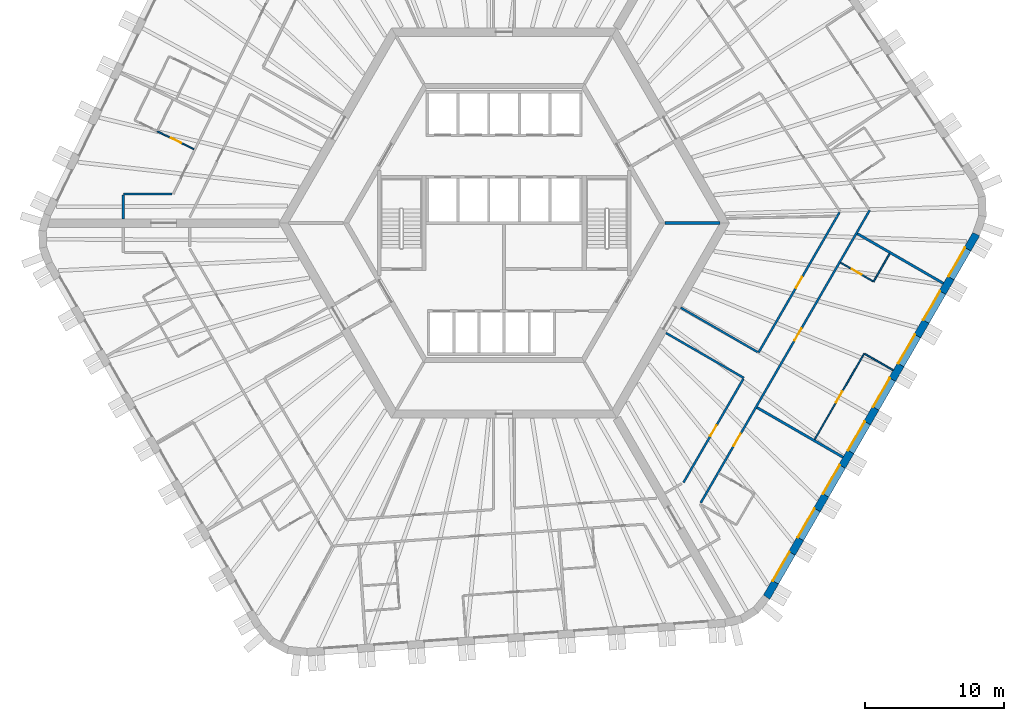
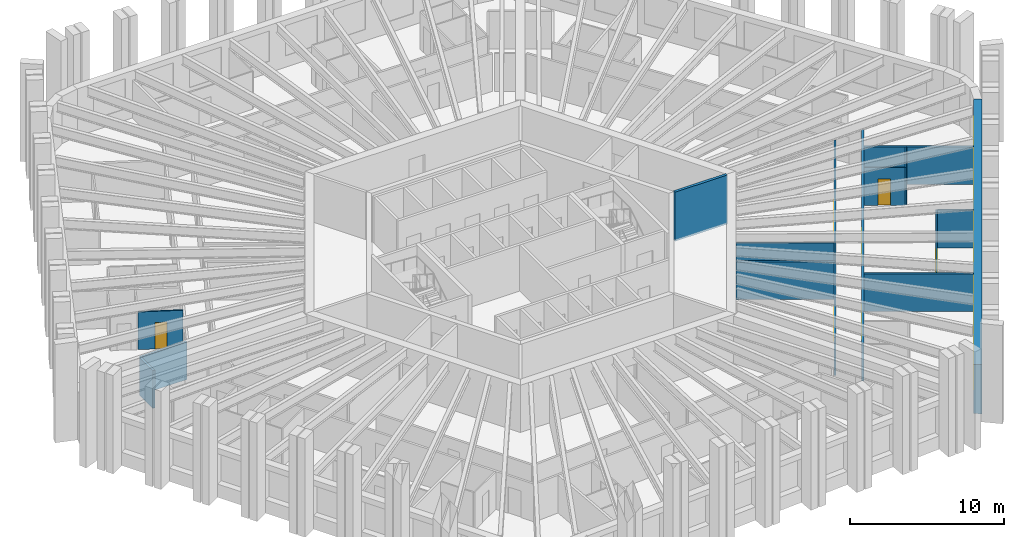
# One storey, part 6 of 13: 16 walls, 8 windows, 7 doors, 15 openings.
"""IFC4 building model written with IfcOpenShell, lengths in metres."""

import ifcopenshell
import ifcopenshell.guid

model = None  # the IFC model being written
_history = None  # IfcOwnerHistory: only IFC2X3 demands one
_inside = {}  # id of a spatial element -> (the spatial element, [elements in it])
_under = {}  # id of a project, library or spatial element -> (it, [spatial elements below it])
_declared = {}  # id of a project -> (the project, [libraries it declares])
_typed = {}  # id of a type object -> (the type object, [elements of that type])
_made_of = {}  # id of a material, layer set ... -> (it, [elements and type objects made of it])


def new_model(schema):
    """Start an empty IFC model of exactly this schema.

    Asked for "IFC4X3", IfcOpenShell would pick the latest addendum, in which some entities
    have other attributes; the version numbers below select the first issue.
    IFC2X3 requires an IfcOwnerHistory on every rooted entity: one is made here for all.
    """
    global model, _history
    if schema == "IFC4X3":
        model = ifcopenshell.file(schema_version=(4, 3, 0, 0))
    else:
        model = ifcopenshell.file(schema=schema)
    _inside.clear()
    _under.clear()
    _declared.clear()
    _typed.clear()
    _made_of.clear()
    _history = None
    if model.schema == "IFC2X3":
        org = make("IfcOrganization", Name="unknown")
        user = make(
            "IfcPersonAndOrganization",
            ThePerson=make("IfcPerson", FamilyName="unknown"),
            TheOrganization=org,
        )
        app = make(
            "IfcApplication",
            ApplicationDeveloper=org,
            Version="unknown",
            ApplicationFullName="unknown",
            ApplicationIdentifier="unknown",
        )
        _history = make(
            "IfcOwnerHistory",
            OwningUser=user,
            OwningApplication=app,
            ChangeAction="ADDED",
            CreationDate=0,
        )
    return model


def make(cls, **values):
    """One entity of the class cls with the attributes given. An attribute that is None is left unset."""
    return model.create_entity(
        cls, **{name: value for name, value in values.items() if value is not None}
    )


def rooted(cls, **values):
    """An entity with a GlobalId (a new one), such as an element, a storey or a relation."""
    return make(cls, GlobalId=ifcopenshell.guid.new(), OwnerHistory=_history, **values)


def si_unit(unit_type, name, prefix=None):
    """IfcSIUnit, for example si_unit("LENGTHUNIT", "METRE", prefix="MILLI")."""
    return make("IfcSIUnit", UnitType=unit_type, Prefix=prefix, Name=name)


def assignment(units):
    """IfcUnitAssignment: the units of a project."""
    return None if units is None else make("IfcUnitAssignment", Units=units)


def point(xyz):
    """IfcCartesianPoint."""
    return None if xyz is None else make("IfcCartesianPoint", Coordinates=xyz)


def direction(xyz):
    """IfcDirection."""
    return None if xyz is None else make("IfcDirection", DirectionRatios=xyz)


def frame(location, z_axis=None, x_axis=None):
    """IfcAxis2Placement3D, a coordinate frame: its origin and axes. An axis left out is left unset."""
    return make(
        "IfcAxis2Placement3D",
        Location=point(location),
        Axis=direction(z_axis),
        RefDirection=direction(x_axis),
    )


def frame_2d(location, x_axis=None):
    """IfcAxis2Placement2D, a coordinate frame in the plane: its origin and x axis."""
    return make(
        "IfcAxis2Placement2D", Location=point(location), RefDirection=direction(x_axis)
    )


def origin():
    """The frame at (0, 0, 0) with its axes left unset."""
    return frame((0.0, 0.0, 0.0))


def place(relative_to, where):
    """IfcLocalPlacement: puts the frame where relative to a parent placement (None: the world)."""
    return make(
        "IfcLocalPlacement", PlacementRelTo=relative_to, RelativePlacement=where
    )


def context(
    kind, dimensions, precision=None, world=None, true_north=None, identifier=None
):
    """IfcGeometricRepresentationContext, for example the 3D "Model" context."""
    return make(
        "IfcGeometricRepresentationContext",
        ContextIdentifier=identifier,
        ContextType=kind,
        CoordinateSpaceDimension=dimensions,
        Precision=precision,
        WorldCoordinateSystem=world,
        TrueNorth=true_north,
    )


def subcontext(parent, identifier, kind, view, scale=None):
    """IfcGeometricRepresentationSubContext, for example "Body" below "Model"."""
    return make(
        "IfcGeometricRepresentationSubContext",
        ContextIdentifier=identifier,
        ContextType=kind,
        ParentContext=parent,
        TargetScale=scale,
        TargetView=view,
    )


def project(units=None, contexts=None):
    """IfcProject with its units and contexts."""
    return rooted(
        "IfcProject",
        Name="project",
        RepresentationContexts=contexts,
        UnitsInContext=assignment(units),
    )


def spatial(cls, under=None, at=None, **own):
    """A site, building, storey or space (cls), placed at a placement, below another one or the project."""
    s = rooted(cls, ObjectPlacement=at, **own)
    if under is not None:
        _under.setdefault(under.id(), (under, []))[1].append(s)
    return s


def polyline(points):
    """IfcPolyline through the points."""
    return make("IfcPolyline", Points=[point(p) for p in points])


def profile(cls, at=None, kind="AREA", **sizes):
    """A parametric profile (cls). Its sizes go by their IFC names, for example OverallWidth=200.0."""
    return make(cls, ProfileType=kind, Position=at, **sizes)


def rectangle(**sizes):
    """IfcRectangleProfileDef."""
    return profile("IfcRectangleProfileDef", **sizes)


def outline(outer, holes=None, kind="AREA"):
    """IfcArbitraryClosedProfileDef: a profile drawn as a closed curve; with holes, ...WithVoids."""
    if holes is None:
        return make("IfcArbitraryClosedProfileDef", ProfileType=kind, OuterCurve=outer)
    return make(
        "IfcArbitraryProfileDefWithVoids",
        ProfileType=kind,
        OuterCurve=outer,
        InnerCurves=holes,
    )


def extrude(swept, where, along, depth):
    """IfcExtrudedAreaSolid: the profile swept, set in the frame where, extruded along a direction by depth."""
    return make(
        "IfcExtrudedAreaSolid",
        SweptArea=swept,
        Position=where,
        ExtrudedDirection=direction(along),
        Depth=depth,
    )


def shape(context_of_items, identifier, shape_type, items):
    """IfcShapeRepresentation: the items that make up one representation, for example the "Body"."""
    return make(
        "IfcShapeRepresentation",
        ContextOfItems=context_of_items,
        RepresentationIdentifier=identifier,
        RepresentationType=shape_type,
        Items=items,
    )


def material(Name=None, Category=None):
    """IfcMaterial."""
    return make("IfcMaterial", Name=Name, Category=Category)


def layer(
    of_material, thickness, ventilated=None, Name=None, Category=None, Priority=None
):
    """IfcMaterialLayer: one layer of a wall or slab, of a material (None: an air gap)."""
    return make(
        "IfcMaterialLayer",
        Material=of_material,
        LayerThickness=thickness,
        IsVentilated=ventilated,
        Name=Name,
        Category=Category,
        Priority=Priority,
    )


def layer_set(layers, Name=None):
    """IfcMaterialLayerSet."""
    return make("IfcMaterialLayerSet", MaterialLayers=layers, LayerSetName=Name)


def made_of(thing, what):
    """Note that an element or type object is made of a material, layer set ...; save() writes the relation."""
    if what is not None:
        _made_of.setdefault(what.id(), (what, []))[1].append(thing)
    return thing


def type_object(cls, material=None, **own):
    """A type object (cls), such as IfcWallType, which elements share."""
    return made_of(rooted(cls, **own), material)


def element(
    cls,
    number,
    at=None,
    inside=None,
    cuts=None,
    type_object=None,
    material=None,
    context=None,
    identifier="Body",
    shape_type=None,
    held_by="IfcProductDefinitionShape",
    body=None,
    shapes=None,
    **own,
):
    """One element of the class cls, such as IfcWall. Its Tag is "e" and its number.

    at: its placement. inside: the storey or other place that contains it. cuts: it is an
    opening in that element (IfcRelVoidsElement). A single representation is given by context,
    identifier, shape_type and body (its items); several are given by shapes. held_by: the class
    of the entity that holds the representations. save() writes the other relations.
    """
    e = rooted(cls, Tag="e%d" % number, ObjectPlacement=at, **own)
    if body is not None:
        shapes = [shape(context, identifier, shape_type, body)]
    if shapes is not None:
        e.Representation = make(held_by, Representations=shapes)
    if inside is not None:
        _inside.setdefault(inside.id(), (inside, []))[1].append(e)
    if cuts is not None:
        rooted(
            "IfcRelVoidsElement", RelatingBuildingElement=cuts, RelatedOpeningElement=e
        )
    if type_object is not None:
        _typed.setdefault(type_object.id(), (type_object, []))[1].append(e)
    return made_of(e, material)


def fill(opening, filler):
    """IfcRelFillsElement: the door or window that sits in an opening."""
    return rooted(
        "IfcRelFillsElement",
        RelatingOpeningElement=opening,
        RelatedBuildingElement=filler,
    )


def aggregate(whole, parts):
    """IfcRelAggregates: a whole, such as a stair, and the parts it consists of."""
    return rooted("IfcRelAggregates", RelatingObject=whole, RelatedObjects=parts)


def save(model, path):
    """Write the relations noted so far, then the file.

    IfcRelAggregates (storeys below a building ...), IfcRelContainedInSpatialStructure (elements
    in a storey), IfcRelDefinesByType, IfcRelAssociatesMaterial and IfcRelDeclares: one each for
    every whole, place, type object, material and project.
    """
    for whole, parts in _under.values():
        aggregate(whole, parts)
    for where, things in _inside.values():
        rooted(
            "IfcRelContainedInSpatialStructure",
            RelatedElements=things,
            RelatingStructure=where,
        )
    for kind, things in _typed.values():
        rooted("IfcRelDefinesByType", RelatedObjects=things, RelatingType=kind)
    for what, things in _made_of.values():
        rooted("IfcRelAssociatesMaterial", RelatedObjects=things, RelatingMaterial=what)
    for by, libraries in _declared.values():
        rooted("IfcRelDeclares", RelatingContext=by, RelatedDefinitions=libraries)
    model.write(path)


model = new_model("IFC4")

# Units and contexts
model_context = context("Model", 3, precision=1e-05, world=origin(), true_north=direction((0.0, 1.0)))
body_context = subcontext(model_context, "Body", "Model", "MODEL_VIEW")
ifc_project = project(units=[si_unit("LENGTHUNIT", "METRE"), si_unit("AREAUNIT", "SQUARE_METRE"), si_unit("VOLUMEUNIT", "CUBIC_METRE"), si_unit("PLANEANGLEUNIT", "RADIAN"), si_unit("MASSUNIT", "GRAM", prefix="KILO")], contexts=[model_context])

# Site, building, storey
site_placement = place(None, origin())
site = spatial("IfcSite", under=ifc_project, at=site_placement, CompositionType="ELEMENT")
building_placement = place(site_placement, origin())
building = spatial("IfcBuilding", under=site, at=building_placement, Name="Tarnside Tower", CompositionType="ELEMENT")
storey_placement = place(building_placement, frame((0.0, 0.0, 92.10009765625)))
storey = spatial("IfcBuildingStorey", under=building, at=storey_placement, Name="L20", CompositionType="ELEMENT", Elevation=92.10009765625)

# Wall, opening, door
ifc_material_1 = material(Name="Gypsum board partition on steel studs", Category="steel")
ifc_layer_1 = layer(ifc_material_1, 0.10009765625)
ifc_layer_set_1 = layer_set([ifc_layer_1], Name="Bathroom wall 100")
wall_type_1 = type_object("IfcWallType", Name="Bathroom wall 100", PredefinedType="PARTITIONING", material=ifc_layer_set_1)
wall_1_placement = place(storey_placement, frame((-22.25244140625, 5.302734375, 0.0), z_axis=(0.0, 0.0, 1.0), x_axis=(-0.89880694479, 0.438344699976, 0.0)))
wall_1 = element("IfcWall", 1, at=wall_1_placement, inside=storey, type_object=wall_type_1, Name="Bathroom wall 06106", PredefinedType="PARTITIONING", context=body_context, shape_type="SweptSolid", body=[
    extrude(rectangle(XDim=2.925048828125, YDim=0.10009765625, at=frame_2d((1.46240234375, 0.0))), origin(), (0.0, 0.0, 1.0), 2.98779296875),
])
opening_1_placement = place(wall_1_placement, frame((1.02490234375, 0.0, 0.0)))
opening_1 = element("IfcOpeningElement", 2, at=opening_1_placement, cuts=wall_1, Name="Opening D-B1", PredefinedType="OPENING", context=body_context, shape_type="SweptSolid", body=[
    extrude(rectangle(XDim=0.800048828125, YDim=2.10009765625, at=frame_2d((0.39990234375, 1.050048828125))), frame((0.0, 0.06005859375, 0.0), z_axis=(0.0, -1.0, 0.0), x_axis=(1.0, 0.0, 0.0)), (0.0, 0.0, 1.0), 0.1201171875),
])
ifc_material_2 = material(Name="Timber door leaf", Category="wood")
door_type_1 = type_object("IfcDoorType", Name="Bathroom door 800", OperationType="NOTDEFINED", PredefinedType="DOOR", material=ifc_material_2)
door_1_placement = place(opening_1_placement, origin())
door_1 = element("IfcDoor", 3, at=door_1_placement, inside=storey, type_object=door_type_1, Name="Bathroom door 06014", OperationType="SINGLE_SWING_RIGHT", OverallHeight=2.10009765625, OverallWidth=0.800048828125, PredefinedType="DOOR", context=body_context, shape_type="SweptSolid", body=[
    extrude(rectangle(XDim=0.800048828125, YDim=2.10009765625, at=frame_2d((0.39990234375, 1.050048828125))), frame((0.0, 0.02490234375, 0.0), z_axis=(0.0, -1.0, 0.0), x_axis=(1.0, 0.0, 0.0)), (0.0, 0.0, 1.0), 0.050048828125),
])
fill(opening_1, door_1)

# Wall
wall_2_placement = place(storey_placement, frame((27.654541015625, -2.201171875, 0.0), z_axis=(0.0, 0.0, 1.0), x_axis=(-0.500015210774, -0.866016621662, 0.0)))
element("IfcWall", 4, at=wall_2_placement, inside=storey, type_object=wall_type_1, Name="Bathroom wall 06143", PredefinedType="PARTITIONING", context=body_context, shape_type="SweptSolid", body=[
    extrude(rectangle(XDim=2.31005859375, YDim=0.10009765625, at=frame_2d((1.155029296875, 0.0))), origin(), (0.0, 0.0, 1.0), 2.98779296875),
])

# Wall, opening, door
wall_3_placement = place(storey_placement, frame((26.4560546875, -4.176513671875, 0.0), z_axis=(0.0, 0.0, 1.0), x_axis=(-0.866021425885, 0.500006889861, 0.0)))
wall_3 = element("IfcWall", 5, at=wall_3_placement, inside=storey, type_object=wall_type_1, Name="Bathroom wall 06144", PredefinedType="PARTITIONING", context=body_context, shape_type="SweptSolid", body=[
    extrude(rectangle(XDim=2.6748046875, YDim=0.10009765625, at=frame_2d((1.33740234375, 0.0))), origin(), (0.0, 0.0, 1.0), 2.98779296875),
])
opening_2_placement = place(wall_3_placement, frame((0.949951171875, 0.0, 0.0)))
opening_2 = element("IfcOpeningElement", 6, at=opening_2_placement, cuts=wall_3, Name="Opening D-B1", PredefinedType="OPENING", context=body_context, shape_type="SweptSolid", body=[
    extrude(rectangle(XDim=0.800048828125, YDim=2.10009765625, at=frame_2d((0.39990234375, 1.050048828125))), frame((0.0, 0.06005859375, 0.0), z_axis=(0.0, -1.0, 0.0), x_axis=(1.0, 0.0, 0.0)), (0.0, 0.0, 1.0), 0.1201171875),
])
door_2_placement = place(opening_2_placement, origin())
door_2 = element("IfcDoor", 7, at=door_2_placement, inside=storey, type_object=door_type_1, Name="Bathroom door 06033", OperationType="SINGLE_SWING_RIGHT", OverallHeight=2.10009765625, OverallWidth=0.800048828125, PredefinedType="DOOR", context=body_context, shape_type="SweptSolid", body=[
    extrude(rectangle(XDim=0.800048828125, YDim=2.10009765625, at=frame_2d((0.39990234375, 1.050048828125))), frame((0.0, 0.02490234375, 0.0), z_axis=(0.0, -1.0, 0.0), x_axis=(1.0, 0.0, 0.0)), (0.0, 0.0, 1.0), 0.050048828125),
])
fill(opening_2, door_2)

# Walls
ifc_layer_2 = layer(ifc_material_1, 0.14990234375)
ifc_layer_set_2 = layer_set([ifc_layer_2], Name="Corridor wall 150 EI 60")
wall_type_2 = type_object("IfcWallType", Name="Corridor wall 150 EI 60", PredefinedType="PARTITIONING", material=ifc_layer_set_2)
wall_4_placement = place(storey_placement, frame((-23.814697265625, 2.10009765625, 0.0), z_axis=(0.0, 0.0, 1.0), x_axis=(-1.0, 0.0, 0.0)))
element("IfcWall", 8, at=wall_4_placement, inside=storey, type_object=wall_type_2, Name="Corridor wall 06012", PredefinedType="PARTITIONING", context=body_context, shape_type="SweptSolid", body=[
    extrude(rectangle(XDim=3.505615234375, YDim=0.14990234375, at=frame_2d((1.7529296875, 0.0))), origin(), (0.0, 0.0, 1.0), 2.98779296875),
])
wall_5_placement = place(storey_placement, frame((-27.3203125, 2.02490234375, 0.0), z_axis=(0.0, 0.0, 1.0), x_axis=(0.0, -1.0, 0.0)))
element("IfcWall", 9, at=wall_5_placement, inside=storey, type_object=wall_type_2, Name="Corridor wall 06013", PredefinedType="PARTITIONING", context=body_context, shape_type="SweptSolid", body=[
    extrude(rectangle(XDim=1.724853515625, YDim=0.14990234375, at=frame_2d((0.8623046875, 0.0))), origin(), (0.0, 0.0, 1.0), 2.98779296875),
])

# Wall, openings, doors
wall_6_placement = place(storey_placement, frame((14.101806640625, -20.074951171875, 0.0), z_axis=(0.0, 0.0, 1.0), x_axis=(0.499996816197, 0.866027241946, 0.0)))
wall_6 = element("IfcWall", 10, at=wall_6_placement, inside=storey, type_object=wall_type_2, Name="Corridor wall 06052", PredefinedType="PARTITIONING", context=body_context, shape_type="SweptSolid", body=[
    extrude(rectangle(XDim=24.238037109375, YDim=0.14990234375, at=frame_2d((12.119140625, 0.0))), origin(), (0.0, 0.0, 1.0), 2.98779296875),
])
opening_3_placement = place(wall_6_placement, frame((4.7294921875, 0.0, 0.0)))
opening_3 = element("IfcOpeningElement", 11, at=opening_3_placement, cuts=wall_6, Name="Opening D-E1", PredefinedType="OPENING", context=body_context, shape_type="SweptSolid", body=[
    extrude(rectangle(XDim=1.0, YDim=2.10009765625, at=frame_2d((0.5, 1.050048828125))), frame((0.0, 0.0849609375, 0.0), z_axis=(0.0, -1.0, 0.0), x_axis=(1.0, 0.0, 0.0)), (0.0, 0.0, 1.0), 0.169921875),
])
opening_4_placement = place(wall_6_placement, frame((13.445556640625, 0.0, 0.0)))
opening_4 = element("IfcOpeningElement", 12, at=opening_4_placement, cuts=wall_6, Name="Opening D-E1", PredefinedType="OPENING", context=body_context, shape_type="SweptSolid", body=[
    extrude(rectangle(XDim=1.0, YDim=2.10009765625, at=frame_2d((0.5, 1.050048828125))), frame((0.0, 0.0849609375, 0.0), z_axis=(0.0, -1.0, 0.0), x_axis=(1.0, 0.0, 0.0)), (0.0, 0.0, 1.0), 0.169921875),
])
door_type_2 = type_object("IfcDoorType", Name="Unit entrance door 1000 FD30S", OperationType="NOTDEFINED", PredefinedType="DOOR", material=ifc_material_2)
door_3_placement = place(opening_3_placement, origin())
door_3 = element("IfcDoor", 13, at=door_3_placement, inside=storey, type_object=door_type_2, Name="Unit door 06030", OperationType="SINGLE_SWING_LEFT", OverallHeight=2.10009765625, OverallWidth=1.0, PredefinedType="DOOR", context=body_context, shape_type="SweptSolid", body=[
    extrude(rectangle(XDim=1.0, YDim=2.10009765625, at=frame_2d((0.5, 1.050048828125))), frame((0.0, 0.02490234375, 0.0), z_axis=(0.0, -1.0, 0.0), x_axis=(1.0, 0.0, 0.0)), (0.0, 0.0, 1.0), 0.050048828125),
])
fill(opening_3, door_3)
door_4_placement = place(opening_4_placement, origin())
door_4 = element("IfcDoor", 14, at=door_4_placement, inside=storey, type_object=door_type_2, Name="Unit door 06032", OperationType="SINGLE_SWING_RIGHT", OverallHeight=2.10009765625, OverallWidth=1.0, PredefinedType="DOOR", context=body_context, shape_type="SweptSolid", body=[
    extrude(rectangle(XDim=1.0, YDim=2.10009765625, at=frame_2d((0.5, 1.050048828125))), frame((0.0, 0.02490234375, 0.0), z_axis=(0.0, -1.0, 0.0), x_axis=(1.0, 0.0, 0.0)), (0.0, 0.0, 1.0), 0.050048828125),
])
fill(opening_4, door_4)

# Wall, opening, door
wall_7_placement = place(storey_placement, frame((24.057861328125, 0.769287109375, 0.0), z_axis=(0.0, 0.0, 1.0), x_axis=(-0.499995346943, -0.866028090212, 0.0)))
wall_7 = element("IfcWall", 15, at=wall_7_placement, inside=storey, type_object=wall_type_2, Name="Corridor wall 06066", PredefinedType="PARTITIONING", context=body_context, shape_type="SweptSolid", body=[
    extrude(rectangle(XDim=11.6162109375, YDim=0.14990234375, at=frame_2d((5.80810546875, 0.0))), origin(), (0.0, 0.0, 1.0), 2.98779296875),
])
opening_5_placement = place(wall_7_placement, frame((5.358154296875, 0.0, 0.0)))
opening_5 = element("IfcOpeningElement", 16, at=opening_5_placement, cuts=wall_7, Name="Opening D-S1", PredefinedType="OPENING", context=body_context, shape_type="SweptSolid", body=[
    extrude(rectangle(XDim=0.89990234375, YDim=2.10009765625, at=frame_2d((0.449951171875, 1.050048828125))), frame((0.0, 0.0849609375, 0.0), z_axis=(0.0, -1.0, 0.0), x_axis=(1.0, 0.0, 0.0)), (0.0, 0.0, 1.0), 0.169921875),
])
door_type_3 = type_object("IfcDoorType", Name="Service room door 900 FD30S", OperationType="NOTDEFINED", PredefinedType="DOOR", material=ifc_material_2)
door_5_placement = place(opening_5_placement, origin())
door_5 = element("IfcDoor", 17, at=door_5_placement, inside=storey, type_object=door_type_3, Name="Service door 06050", OperationType="SINGLE_SWING_RIGHT", OverallHeight=2.10009765625, OverallWidth=0.89990234375, PredefinedType="DOOR", context=body_context, shape_type="SweptSolid", body=[
    extrude(rectangle(XDim=0.89990234375, YDim=2.10009765625, at=frame_2d((0.449951171875, 1.050048828125))), frame((0.0, 0.02490234375, 0.0), z_axis=(0.0, -1.0, 0.0), x_axis=(1.0, 0.0, 0.0)), (0.0, 0.0, 1.0), 0.050048828125),
])
fill(opening_5, door_5)

# Walls
wall_8_placement = place(storey_placement, frame((18.184814453125, -9.253173828125, 0.0), z_axis=(0.0, 0.0, 1.0), x_axis=(-0.866028703517, 0.499994284652, 0.0)))
element("IfcWall", 18, at=wall_8_placement, inside=storey, type_object=wall_type_2, Name="Corridor wall 06067", PredefinedType="PARTITIONING", context=body_context, shape_type="SweptSolid", body=[
    extrude(rectangle(XDim=6.375, YDim=0.14990234375, at=frame_2d((3.1875, 0.0))), origin(), (0.0, 0.0, 1.0), 2.98779296875),
])
wall_9_placement = place(storey_placement, frame((11.61376953125, -7.88427734375, 0.0), z_axis=(0.0, 0.0, 1.0), x_axis=(0.866021702275, -0.500006411147, 0.0)))
element("IfcWall", 19, at=wall_9_placement, inside=storey, type_object=wall_type_2, Name="Corridor wall 06071", PredefinedType="PARTITIONING", context=body_context, shape_type="SweptSolid", body=[
    extrude(rectangle(XDim=6.4501953125, YDim=0.14990234375, at=frame_2d((3.22509765625, 0.0))), origin(), (0.0, 0.0, 1.0), 2.98779296875),
])

# Wall, opening, door
wall_10_placement = place(storey_placement, frame((17.162109375, -11.17431640625, 0.0), z_axis=(0.0, 0.0, 1.0), x_axis=(-0.499997214665, -0.866027011893, 0.0)))
wall_10 = element("IfcWall", 20, at=wall_10_placement, inside=storey, type_object=wall_type_2, Name="Corridor wall 06072", PredefinedType="PARTITIONING", context=body_context, shape_type="SweptSolid", body=[
    extrude(rectangle(XDim=8.5888671875, YDim=0.14990234375, at=frame_2d((4.29443359375, 0.0))), origin(), (0.0, 0.0, 1.0), 2.98779296875),
])
opening_6_placement = place(wall_10_placement, frame((3.844482421875, 0.0, 0.0)))
opening_6 = element("IfcOpeningElement", 21, at=opening_6_placement, cuts=wall_10, Name="Opening D-S1", PredefinedType="OPENING", context=body_context, shape_type="SweptSolid", body=[
    extrude(rectangle(XDim=0.89990234375, YDim=2.10009765625, at=frame_2d((0.449951171875, 1.050048828125))), frame((0.0, 0.0849609375, 0.0), z_axis=(0.0, -1.0, 0.0), x_axis=(1.0, 0.0, 0.0)), (0.0, 0.0, 1.0), 0.169921875),
])
door_6_placement = place(opening_6_placement, origin())
door_6 = element("IfcDoor", 22, at=door_6_placement, inside=storey, type_object=door_type_3, Name="Service door 06052", OperationType="SINGLE_SWING_LEFT", OverallHeight=2.10009765625, OverallWidth=0.89990234375, PredefinedType="DOOR", context=body_context, shape_type="SweptSolid", body=[
    extrude(rectangle(XDim=0.89990234375, YDim=2.10009765625, at=frame_2d((0.449951171875, 1.050048828125))), frame((0.0, 0.02490234375, 0.0), z_axis=(0.0, -1.0, 0.0), x_axis=(1.0, 0.0, 0.0)), (0.0, 0.0, 1.0), 0.050048828125),
])
fill(opening_6, door_6)

# Walls
ifc_layer_3 = layer(ifc_material_1, 0.179931640625)
ifc_layer_set_3 = layer_set([ifc_layer_3], Name="Demising wall 180 EI 60")
wall_type_3 = type_object("IfcWallType", Name="Demising wall 180 EI 60", PredefinedType="PARTITIONING", material=ifc_layer_set_3)
wall_11_placement = place(storey_placement, frame((24.31005859375, -16.7939453125, 0.0), z_axis=(0.0, 0.0, 1.0), x_axis=(-0.866024672353, 0.500001266874, 0.0)))
element("IfcWall", 23, at=wall_11_placement, inside=storey, type_object=wall_type_3, Name="Demising wall 06141", PredefinedType="PARTITIONING", context=body_context, shape_type="SweptSolid", body=[
    extrude(rectangle(XDim=7.125, YDim=0.179931640625, at=frame_2d((3.5625, 0.0))), origin(), (0.0, 0.0, 1.0), 2.98779296875),
])
wall_12_placement = place(storey_placement, frame((31.510009765625, -4.322998046875, 0.0), z_axis=(0.0, 0.0, 1.0), x_axis=(-0.866039509621, 0.499975567179, 0.0)))
element("IfcWall", 24, at=wall_12_placement, inside=storey, type_object=wall_type_3, Name="Demising wall 06147", PredefinedType="PARTITIONING", context=body_context, shape_type="SweptSolid", body=[
    extrude(rectangle(XDim=7.124755859375, YDim=0.179931640625, at=frame_2d((3.5625, 0.0))), origin(), (0.0, 0.0, 1.0), 2.98779296875),
])
ifc_material_3 = material(Name="Concrete C40/50", Category="concrete")
ifc_layer_4 = layer(ifc_material_3, 0.199951171875)
ifc_layer_set_4 = layer_set([ifc_layer_4], Name="Lift shaft wall 200 C40/50")
wall_type_4 = type_object("IfcWallType", Name="Lift shaft wall 200 C40/50", PredefinedType="SHEAR", material=ifc_layer_set_4)
wall_13_placement = place(storey_placement, frame((11.547119140625, 0.0, -0.150146484375), z_axis=(0.0, 0.0, 1.0), x_axis=(1.0, 0.0, 0.0)))
element("IfcWall", 25, at=wall_13_placement, inside=storey, type_object=wall_type_4, Name="L20 core partition AR0", PredefinedType="SHEAR", context=body_context, shape_type="SweptSolid", body=[
    extrude(rectangle(XDim=3.92578125, YDim=0.199951171875, at=frame_2d((1.962890625, 0.0))), origin(), (0.0, 0.0, 1.0), 3.900146484375),
])

# Wall, opening, door
ifc_layer_5 = layer(ifc_material_1, 0.10009765625)
ifc_layer_set_5 = layer_set([ifc_layer_5], Name="Partition 100")
wall_type_5 = type_object("IfcWallType", Name="Partition 100", PredefinedType="PARTITIONING", material=ifc_layer_set_5)
wall_14_placement = place(storey_placement, frame((22.276611328125, -15.515869140625, 0.0), z_axis=(0.0, 0.0, 1.0), x_axis=(0.499990956993, 0.866030624704, 0.0)))
wall_14 = element("IfcWall", 26, at=wall_14_placement, inside=storey, type_object=wall_type_5, Name="Partition wall 06145", PredefinedType="PARTITIONING", context=body_context, shape_type="SweptSolid", body=[
    extrude(rectangle(XDim=7.110107421875, YDim=0.10009765625, at=frame_2d((3.55517578125, 0.0))), origin(), (0.0, 0.0, 1.0), 2.98779296875),
])
opening_7_placement = place(wall_14_placement, frame((3.06005859375, 0.0, 0.0)))
opening_7 = element("IfcOpeningElement", 27, at=opening_7_placement, cuts=wall_14, Name="Opening D-I1", PredefinedType="OPENING", context=body_context, shape_type="SweptSolid", body=[
    extrude(rectangle(XDim=0.89990234375, YDim=2.10009765625, at=frame_2d((0.449951171875, 1.050048828125))), frame((0.0, 0.06005859375, 0.0), z_axis=(0.0, -1.0, 0.0), x_axis=(1.0, 0.0, 0.0)), (0.0, 0.0, 1.0), 0.1201171875),
])
door_type_4 = type_object("IfcDoorType", Name="Internal door 900", OperationType="NOTDEFINED", PredefinedType="DOOR", material=ifc_material_2)
door_7_placement = place(opening_7_placement, origin())
door_7 = element("IfcDoor", 28, at=door_7_placement, inside=storey, type_object=door_type_4, Name="Internal door 06034", OperationType="SINGLE_SWING_RIGHT", OverallHeight=2.10009765625, OverallWidth=0.89990234375, PredefinedType="DOOR", context=body_context, shape_type="SweptSolid", body=[
    extrude(rectangle(XDim=0.89990234375, YDim=2.10009765625, at=frame_2d((0.449951171875, 1.050048828125))), frame((0.0, 0.02490234375, 0.0), z_axis=(0.0, -1.0, 0.0), x_axis=(1.0, 0.0, 0.0)), (0.0, 0.0, 1.0), 0.050048828125),
])
fill(opening_7, door_7)

# Wall
wall_15_placement = place(storey_placement, frame((25.874755859375, -9.383544921875, 0.0), z_axis=(0.0, 0.0, 1.0), x_axis=(0.866016039709, -0.500016218704, 0.0)))
element("IfcWall", 29, at=wall_15_placement, inside=storey, type_object=wall_type_5, Name="Partition wall 06146", PredefinedType="PARTITIONING", context=body_context, shape_type="SweptSolid", body=[
    extrude(rectangle(XDim=2.35009765625, YDim=0.10009765625, at=frame_2d((1.175048828125, 0.0))), origin(), (0.0, 0.0, 1.0), 2.98779296875),
])

# Wall, openings, windows
ifc_material_4 = material(Name="Facing brick", Category="masonry")
ifc_layer_6 = layer(ifc_material_4, 0.10205078125)
ifc_material_5 = material(Name="Concrete C60/75 precast", Category="concrete")
ifc_layer_7 = layer(ifc_material_5, 0.347900390625)
ifc_material_6 = material(Name="Mineral wool insulation")
ifc_layer_8 = layer(ifc_material_6, 0.10009765625)
ifc_layer_set_6 = layer_set([ifc_layer_6, ifc_layer_7, ifc_layer_8], Name="Tube wall 550 brick faced")
wall_type_6 = type_object("IfcWallType", Name="Tube wall 550 brick faced", PredefinedType="SOLIDWALL", material=ifc_layer_set_6)
wall_16_placement = place(storey_placement, frame((18.830322265625, -26.834716796875, -0.150146484375), z_axis=(0.0, 0.0, 1.0), x_axis=(0.500003800416, 0.866023209602, 0.0)))
wall_16 = element("IfcWall", 30, at=wall_16_placement, inside=storey, type_object=wall_type_6, Name="Tube wall L20 F5 flush 16", PredefinedType="SOLIDWALL", context=body_context, shape_type="SweptSolid", body=[
    extrude(outline(polyline([(-0.0224609375, -0.27490234375), (30.0966796875, -0.27490234375), (30.04541015625, 0.27490234375), (0.0224609375, 0.27490234375), (-0.0224609375, -0.27490234375)])), origin(), (0.0, 0.0, 1.0), 3.900146484375),
])
opening_8_placement = place(wall_16_placement, frame((1.235595703125, 0.0, 1.050048828125)))
opening_8 = element("IfcOpeningElement", 31, at=opening_8_placement, cuts=wall_16, Name="Opening WH", PredefinedType="OPENING", context=body_context, shape_type="SweptSolid", body=[
    extrude(rectangle(XDim=2.39990234375, YDim=2.39990234375, at=frame_2d((1.199951171875, 1.199951171875))), frame((0.0, 0.28515625, 0.0), z_axis=(0.0, -1.0, 0.0), x_axis=(1.0, 0.0, 0.0)), (0.0, 0.0, 1.0), 0.570068359375),
])
opening_9_placement = place(wall_16_placement, frame((4.83544921875, 0.0, 1.050048828125)))
opening_9 = element("IfcOpeningElement", 32, at=opening_9_placement, cuts=wall_16, Name="Opening WH", PredefinedType="OPENING", context=body_context, shape_type="SweptSolid", body=[
    extrude(rectangle(XDim=2.39990234375, YDim=2.39990234375, at=frame_2d((1.199951171875, 1.199951171875))), frame((0.0, 0.28515625, 0.0), z_axis=(0.0, -1.0, 0.0), x_axis=(1.0, 0.0, 0.0)), (0.0, 0.0, 1.0), 0.570068359375),
])
opening_10_placement = place(wall_16_placement, frame((8.435546875, 0.0, 1.050048828125)))
opening_10 = element("IfcOpeningElement", 33, at=opening_10_placement, cuts=wall_16, Name="Opening WH", PredefinedType="OPENING", context=body_context, shape_type="SweptSolid", body=[
    extrude(rectangle(XDim=2.39990234375, YDim=2.39990234375, at=frame_2d((1.199951171875, 1.199951171875))), frame((0.0, 0.28515625, 0.0), z_axis=(0.0, -1.0, 0.0), x_axis=(1.0, 0.0, 0.0)), (0.0, 0.0, 1.0), 0.570068359375),
])
opening_11_placement = place(wall_16_placement, frame((12.035400390625, 0.0, 1.050048828125)))
opening_11 = element("IfcOpeningElement", 34, at=opening_11_placement, cuts=wall_16, Name="Opening WH", PredefinedType="OPENING", context=body_context, shape_type="SweptSolid", body=[
    extrude(rectangle(XDim=2.39990234375, YDim=2.39990234375, at=frame_2d((1.199951171875, 1.199951171875))), frame((0.0, 0.28515625, 0.0), z_axis=(0.0, -1.0, 0.0), x_axis=(1.0, 0.0, 0.0)), (0.0, 0.0, 1.0), 0.570068359375),
])
opening_12_placement = place(wall_16_placement, frame((15.635498046875, 0.0, 1.050048828125)))
opening_12 = element("IfcOpeningElement", 35, at=opening_12_placement, cuts=wall_16, Name="Opening WH", PredefinedType="OPENING", context=body_context, shape_type="SweptSolid", body=[
    extrude(rectangle(XDim=2.39990234375, YDim=2.39990234375, at=frame_2d((1.199951171875, 1.199951171875))), frame((0.0, 0.28515625, 0.0), z_axis=(0.0, -1.0, 0.0), x_axis=(1.0, 0.0, 0.0)), (0.0, 0.0, 1.0), 0.570068359375),
])
opening_13_placement = place(wall_16_placement, frame((19.235595703125, 0.0, 1.050048828125)))
opening_13 = element("IfcOpeningElement", 36, at=opening_13_placement, cuts=wall_16, Name="Opening WH", PredefinedType="OPENING", context=body_context, shape_type="SweptSolid", body=[
    extrude(rectangle(XDim=2.39990234375, YDim=2.39990234375, at=frame_2d((1.199951171875, 1.199951171875))), frame((0.0, 0.28515625, 0.0), z_axis=(0.0, -1.0, 0.0), x_axis=(1.0, 0.0, 0.0)), (0.0, 0.0, 1.0), 0.570068359375),
])
opening_14_placement = place(wall_16_placement, frame((22.83544921875, 0.0, 1.050048828125)))
opening_14 = element("IfcOpeningElement", 37, at=opening_14_placement, cuts=wall_16, Name="Opening WH", PredefinedType="OPENING", context=body_context, shape_type="SweptSolid", body=[
    extrude(rectangle(XDim=2.39990234375, YDim=2.39990234375, at=frame_2d((1.199951171875, 1.199951171875))), frame((0.0, 0.28515625, 0.0), z_axis=(0.0, -1.0, 0.0), x_axis=(1.0, 0.0, 0.0)), (0.0, 0.0, 1.0), 0.570068359375),
])
opening_15_placement = place(wall_16_placement, frame((26.435546875, 0.0, 1.050048828125)))
opening_15 = element("IfcOpeningElement", 38, at=opening_15_placement, cuts=wall_16, Name="Opening WH", PredefinedType="OPENING", context=body_context, shape_type="SweptSolid", body=[
    extrude(rectangle(XDim=2.39990234375, YDim=2.39990234375, at=frame_2d((1.199951171875, 1.199951171875))), frame((0.0, 0.28515625, 0.0), z_axis=(0.0, -1.0, 0.0), x_axis=(1.0, 0.0, 0.0)), (0.0, 0.0, 1.0), 0.570068359375),
])
ifc_material_7 = material(Name="Aluminium-framed double glazing", Category="aluminium")
window_type = type_object("IfcWindowType", Name="Hotel window 2400 x 2400", PartitioningType="DOUBLE_PANEL_VERTICAL", PredefinedType="WINDOW", material=ifc_material_7)
window_1_placement = place(opening_8_placement, frame((0.0, 0.205078125, 0.0)))
window_1 = element("IfcWindow", 39, at=window_1_placement, inside=storey, type_object=window_type, Name="E.WN.L20.F5.00", OverallHeight=2.39990234375, OverallWidth=2.39990234375, PartitioningType="DOUBLE_PANEL_VERTICAL", PredefinedType="WINDOW", context=body_context, shape_type="SweptSolid", body=[
    extrude(rectangle(XDim=2.39990234375, YDim=2.39990234375, at=frame_2d((1.199951171875, 1.199951171875))), frame((0.0, 0.030029296875, 0.0), z_axis=(0.0, -1.0, 0.0), x_axis=(1.0, 0.0, 0.0)), (0.0, 0.0, 1.0), 0.06005859375),
])
fill(opening_8, window_1)
window_2_placement = place(opening_9_placement, frame((0.0, 0.205078125, 0.0)))
window_2 = element("IfcWindow", 40, at=window_2_placement, inside=storey, type_object=window_type, Name="E.WN.L20.F5.01", OverallHeight=2.39990234375, OverallWidth=2.39990234375, PartitioningType="DOUBLE_PANEL_VERTICAL", PredefinedType="WINDOW", context=body_context, shape_type="SweptSolid", body=[
    extrude(rectangle(XDim=2.39990234375, YDim=2.39990234375, at=frame_2d((1.199951171875, 1.199951171875))), frame((0.0, 0.030029296875, 0.0), z_axis=(0.0, -1.0, 0.0), x_axis=(1.0, 0.0, 0.0)), (0.0, 0.0, 1.0), 0.06005859375),
])
fill(opening_9, window_2)
window_3_placement = place(opening_10_placement, frame((0.0, 0.205078125, 0.0)))
window_3 = element("IfcWindow", 41, at=window_3_placement, inside=storey, type_object=window_type, Name="E.WN.L20.F5.02", OverallHeight=2.39990234375, OverallWidth=2.39990234375, PartitioningType="DOUBLE_PANEL_VERTICAL", PredefinedType="WINDOW", context=body_context, shape_type="SweptSolid", body=[
    extrude(rectangle(XDim=2.39990234375, YDim=2.39990234375, at=frame_2d((1.199951171875, 1.199951171875))), frame((0.0, 0.030029296875, 0.0), z_axis=(0.0, -1.0, 0.0), x_axis=(1.0, 0.0, 0.0)), (0.0, 0.0, 1.0), 0.06005859375),
])
fill(opening_10, window_3)
window_4_placement = place(opening_11_placement, frame((0.0, 0.205078125, 0.0)))
window_4 = element("IfcWindow", 42, at=window_4_placement, inside=storey, type_object=window_type, Name="E.WN.L20.F5.03", OverallHeight=2.39990234375, OverallWidth=2.39990234375, PartitioningType="DOUBLE_PANEL_VERTICAL", PredefinedType="WINDOW", context=body_context, shape_type="SweptSolid", body=[
    extrude(rectangle(XDim=2.39990234375, YDim=2.39990234375, at=frame_2d((1.199951171875, 1.199951171875))), frame((0.0, 0.030029296875, 0.0), z_axis=(0.0, -1.0, 0.0), x_axis=(1.0, 0.0, 0.0)), (0.0, 0.0, 1.0), 0.06005859375),
])
fill(opening_11, window_4)
window_5_placement = place(opening_12_placement, frame((0.0, 0.205078125, 0.0)))
window_5 = element("IfcWindow", 43, at=window_5_placement, inside=storey, type_object=window_type, Name="E.WN.L20.F5.04", OverallHeight=2.39990234375, OverallWidth=2.39990234375, PartitioningType="DOUBLE_PANEL_VERTICAL", PredefinedType="WINDOW", context=body_context, shape_type="SweptSolid", body=[
    extrude(rectangle(XDim=2.39990234375, YDim=2.39990234375, at=frame_2d((1.199951171875, 1.199951171875))), frame((0.0, 0.030029296875, 0.0), z_axis=(0.0, -1.0, 0.0), x_axis=(1.0, 0.0, 0.0)), (0.0, 0.0, 1.0), 0.06005859375),
])
fill(opening_12, window_5)
window_6_placement = place(opening_13_placement, frame((0.0, 0.205078125, 0.0)))
window_6 = element("IfcWindow", 44, at=window_6_placement, inside=storey, type_object=window_type, Name="E.WN.L20.F5.05", OverallHeight=2.39990234375, OverallWidth=2.39990234375, PartitioningType="DOUBLE_PANEL_VERTICAL", PredefinedType="WINDOW", context=body_context, shape_type="SweptSolid", body=[
    extrude(rectangle(XDim=2.39990234375, YDim=2.39990234375, at=frame_2d((1.199951171875, 1.199951171875))), frame((0.0, 0.030029296875, 0.0), z_axis=(0.0, -1.0, 0.0), x_axis=(1.0, 0.0, 0.0)), (0.0, 0.0, 1.0), 0.06005859375),
])
fill(opening_13, window_6)
window_7_placement = place(opening_14_placement, frame((0.0, 0.205078125, 0.0)))
window_7 = element("IfcWindow", 45, at=window_7_placement, inside=storey, type_object=window_type, Name="E.WN.L20.F5.06", OverallHeight=2.39990234375, OverallWidth=2.39990234375, PartitioningType="DOUBLE_PANEL_VERTICAL", PredefinedType="WINDOW", context=body_context, shape_type="SweptSolid", body=[
    extrude(rectangle(XDim=2.39990234375, YDim=2.39990234375, at=frame_2d((1.199951171875, 1.199951171875))), frame((0.0, 0.030029296875, 0.0), z_axis=(0.0, -1.0, 0.0), x_axis=(1.0, 0.0, 0.0)), (0.0, 0.0, 1.0), 0.06005859375),
])
fill(opening_14, window_7)
window_8_placement = place(opening_15_placement, frame((0.0, 0.205078125, 0.0)))
window_8 = element("IfcWindow", 46, at=window_8_placement, inside=storey, type_object=window_type, Name="E.WN.L20.F5.07", OverallHeight=2.39990234375, OverallWidth=2.39990234375, PartitioningType="DOUBLE_PANEL_VERTICAL", PredefinedType="WINDOW", context=body_context, shape_type="SweptSolid", body=[
    extrude(rectangle(XDim=2.39990234375, YDim=2.39990234375, at=frame_2d((1.199951171875, 1.199951171875))), frame((0.0, 0.030029296875, 0.0), z_axis=(0.0, -1.0, 0.0), x_axis=(1.0, 0.0, 0.0)), (0.0, 0.0, 1.0), 0.06005859375),
])
fill(opening_15, window_8)

save(model, "model.ifc")
